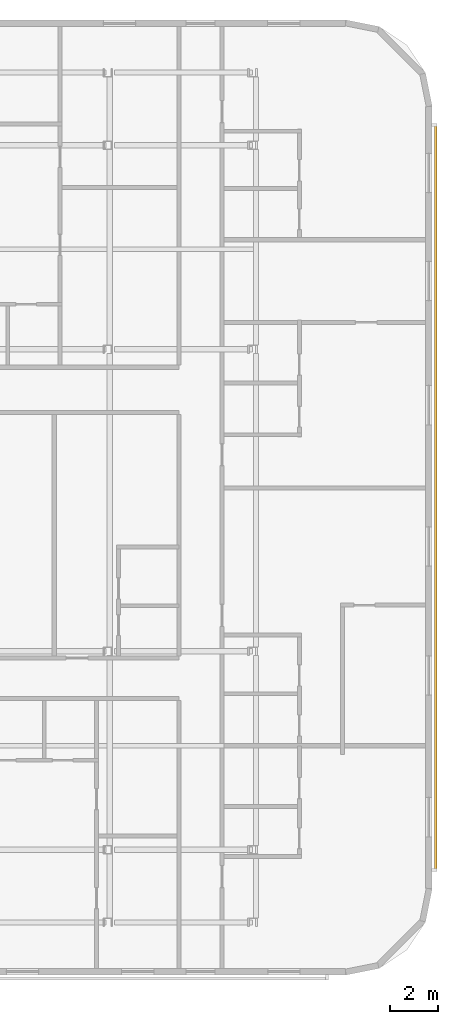
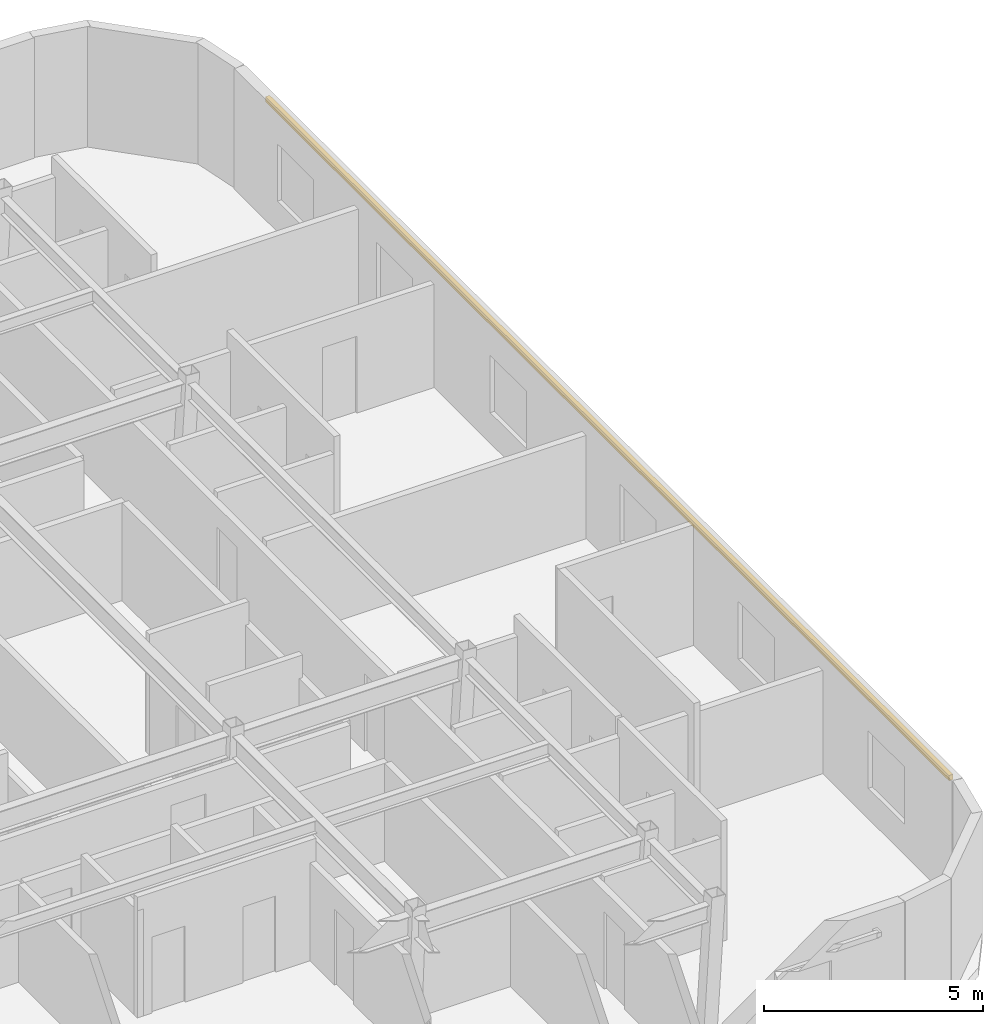
# One storey, part 10 of 10: 1 shading device.
"""IFC4 building model written with IfcOpenShell, lengths in metres."""

import ifcopenshell
import ifcopenshell.guid

model = None  # the IFC model being written
_history = None  # IfcOwnerHistory: only IFC2X3 demands one
_inside = {}  # id of a spatial element -> (the spatial element, [elements in it])
_under = {}  # id of a project, library or spatial element -> (it, [spatial elements below it])
_declared = {}  # id of a project -> (the project, [libraries it declares])
_typed = {}  # id of a type object -> (the type object, [elements of that type])
_made_of = {}  # id of a material, layer set ... -> (it, [elements and type objects made of it])


def new_model(schema):
    """Start an empty IFC model of exactly this schema.

    Asked for "IFC4X3", IfcOpenShell would pick the latest addendum, in which some entities
    have other attributes; the version numbers below select the first issue.
    IFC2X3 requires an IfcOwnerHistory on every rooted entity: one is made here for all.
    """
    global model, _history
    if schema == "IFC4X3":
        model = ifcopenshell.file(schema_version=(4, 3, 0, 0))
    else:
        model = ifcopenshell.file(schema=schema)
    _inside.clear()
    _under.clear()
    _declared.clear()
    _typed.clear()
    _made_of.clear()
    _history = None
    if model.schema == "IFC2X3":
        org = make("IfcOrganization", Name="unknown")
        user = make(
            "IfcPersonAndOrganization",
            ThePerson=make("IfcPerson", FamilyName="unknown"),
            TheOrganization=org,
        )
        app = make(
            "IfcApplication",
            ApplicationDeveloper=org,
            Version="unknown",
            ApplicationFullName="unknown",
            ApplicationIdentifier="unknown",
        )
        _history = make(
            "IfcOwnerHistory",
            OwningUser=user,
            OwningApplication=app,
            ChangeAction="ADDED",
            CreationDate=0,
        )
    return model


def make(cls, **values):
    """One entity of the class cls with the attributes given. An attribute that is None is left unset."""
    return model.create_entity(
        cls, **{name: value for name, value in values.items() if value is not None}
    )


def rooted(cls, **values):
    """An entity with a GlobalId (a new one), such as an element, a storey or a relation."""
    return make(cls, GlobalId=ifcopenshell.guid.new(), OwnerHistory=_history, **values)


def si_unit(unit_type, name, prefix=None):
    """IfcSIUnit, for example si_unit("LENGTHUNIT", "METRE", prefix="MILLI")."""
    return make("IfcSIUnit", UnitType=unit_type, Prefix=prefix, Name=name)


def assignment(units):
    """IfcUnitAssignment: the units of a project."""
    return None if units is None else make("IfcUnitAssignment", Units=units)


def point(xyz):
    """IfcCartesianPoint."""
    return None if xyz is None else make("IfcCartesianPoint", Coordinates=xyz)


def direction(xyz):
    """IfcDirection."""
    return None if xyz is None else make("IfcDirection", DirectionRatios=xyz)


def frame(location, z_axis=None, x_axis=None):
    """IfcAxis2Placement3D, a coordinate frame: its origin and axes. An axis left out is left unset."""
    return make(
        "IfcAxis2Placement3D",
        Location=point(location),
        Axis=direction(z_axis),
        RefDirection=direction(x_axis),
    )


def frame_2d(location, x_axis=None):
    """IfcAxis2Placement2D, a coordinate frame in the plane: its origin and x axis."""
    return make(
        "IfcAxis2Placement2D", Location=point(location), RefDirection=direction(x_axis)
    )


def origin():
    """The frame at (0, 0, 0) with its axes left unset."""
    return frame((0.0, 0.0, 0.0))


def origin_2d():
    """The frame at (0, 0) in the plane with its x axis left unset."""
    return frame_2d((0.0, 0.0))


def place(relative_to, where):
    """IfcLocalPlacement: puts the frame where relative to a parent placement (None: the world)."""
    return make(
        "IfcLocalPlacement", PlacementRelTo=relative_to, RelativePlacement=where
    )


def context(
    kind, dimensions, precision=None, world=None, true_north=None, identifier=None
):
    """IfcGeometricRepresentationContext, for example the 3D "Model" context."""
    return make(
        "IfcGeometricRepresentationContext",
        ContextIdentifier=identifier,
        ContextType=kind,
        CoordinateSpaceDimension=dimensions,
        Precision=precision,
        WorldCoordinateSystem=world,
        TrueNorth=true_north,
    )


def subcontext(parent, identifier, kind, view, scale=None):
    """IfcGeometricRepresentationSubContext, for example "Body" below "Model"."""
    return make(
        "IfcGeometricRepresentationSubContext",
        ContextIdentifier=identifier,
        ContextType=kind,
        ParentContext=parent,
        TargetScale=scale,
        TargetView=view,
    )


def project(units=None, contexts=None):
    """IfcProject with its units and contexts."""
    return rooted(
        "IfcProject",
        Name="project",
        RepresentationContexts=contexts,
        UnitsInContext=assignment(units),
    )


def spatial(cls, under=None, at=None, **own):
    """A site, building, storey or space (cls), placed at a placement, below another one or the project."""
    s = rooted(cls, ObjectPlacement=at, **own)
    if under is not None:
        _under.setdefault(under.id(), (under, []))[1].append(s)
    return s


def profile(cls, at=None, kind="AREA", **sizes):
    """A parametric profile (cls). Its sizes go by their IFC names, for example OverallWidth=200.0."""
    return make(cls, ProfileType=kind, Position=at, **sizes)


def rectangle(**sizes):
    """IfcRectangleProfileDef."""
    return profile("IfcRectangleProfileDef", **sizes)


def extrude(swept, where, along, depth):
    """IfcExtrudedAreaSolid: the profile swept, set in the frame where, extruded along a direction by depth."""
    return make(
        "IfcExtrudedAreaSolid",
        SweptArea=swept,
        Position=where,
        ExtrudedDirection=direction(along),
        Depth=depth,
    )


def shape(context_of_items, identifier, shape_type, items):
    """IfcShapeRepresentation: the items that make up one representation, for example the "Body"."""
    return make(
        "IfcShapeRepresentation",
        ContextOfItems=context_of_items,
        RepresentationIdentifier=identifier,
        RepresentationType=shape_type,
        Items=items,
    )


def material(Name=None, Category=None):
    """IfcMaterial."""
    return make("IfcMaterial", Name=Name, Category=Category)


def material_profile(
    of_material, cross_section, Name=None, Category=None, Priority=None
):
    """IfcMaterialProfile: a cross section and its material."""
    return make(
        "IfcMaterialProfile",
        Name=Name,
        Material=of_material,
        Profile=cross_section,
        Priority=Priority,
        Category=Category,
    )


def profile_set(profiles, Name=None, composite=None):
    """IfcMaterialProfileSet."""
    return make(
        "IfcMaterialProfileSet",
        Name=Name,
        MaterialProfiles=profiles,
        CompositeProfile=composite,
    )


def made_of(thing, what):
    """Note that an element or type object is made of a material, layer set ...; save() writes the relation."""
    if what is not None:
        _made_of.setdefault(what.id(), (what, []))[1].append(thing)
    return thing


def type_object(cls, material=None, **own):
    """A type object (cls), such as IfcWallType, which elements share."""
    return made_of(rooted(cls, **own), material)


def element(
    cls,
    number,
    at=None,
    inside=None,
    cuts=None,
    type_object=None,
    material=None,
    context=None,
    identifier="Body",
    shape_type=None,
    held_by="IfcProductDefinitionShape",
    body=None,
    shapes=None,
    **own,
):
    """One element of the class cls, such as IfcWall. Its Tag is "e" and its number.

    at: its placement. inside: the storey or other place that contains it. cuts: it is an
    opening in that element (IfcRelVoidsElement). A single representation is given by context,
    identifier, shape_type and body (its items); several are given by shapes. held_by: the class
    of the entity that holds the representations. save() writes the other relations.
    """
    e = rooted(cls, Tag="e%d" % number, ObjectPlacement=at, **own)
    if body is not None:
        shapes = [shape(context, identifier, shape_type, body)]
    if shapes is not None:
        e.Representation = make(held_by, Representations=shapes)
    if inside is not None:
        _inside.setdefault(inside.id(), (inside, []))[1].append(e)
    if cuts is not None:
        rooted(
            "IfcRelVoidsElement", RelatingBuildingElement=cuts, RelatedOpeningElement=e
        )
    if type_object is not None:
        _typed.setdefault(type_object.id(), (type_object, []))[1].append(e)
    return made_of(e, material)


def aggregate(whole, parts):
    """IfcRelAggregates: a whole, such as a stair, and the parts it consists of."""
    return rooted("IfcRelAggregates", RelatingObject=whole, RelatedObjects=parts)


def save(model, path):
    """Write the relations noted so far, then the file.

    IfcRelAggregates (storeys below a building ...), IfcRelContainedInSpatialStructure (elements
    in a storey), IfcRelDefinesByType, IfcRelAssociatesMaterial and IfcRelDeclares: one each for
    every whole, place, type object, material and project.
    """
    for whole, parts in _under.values():
        aggregate(whole, parts)
    for where, things in _inside.values():
        rooted(
            "IfcRelContainedInSpatialStructure",
            RelatedElements=things,
            RelatingStructure=where,
        )
    for kind, things in _typed.values():
        rooted("IfcRelDefinesByType", RelatedObjects=things, RelatingType=kind)
    for what, things in _made_of.values():
        rooted("IfcRelAssociatesMaterial", RelatedObjects=things, RelatingMaterial=what)
    for by, libraries in _declared.values():
        rooted("IfcRelDeclares", RelatingContext=by, RelatedDefinitions=libraries)
    model.write(path)


model = new_model("IFC4")

# Units and contexts
model_context = context("Model", 3, precision=1e-05, world=origin(), true_north=direction((0.0, 1.0)))
body_context = subcontext(model_context, "Body", "Model", "MODEL_VIEW")
ifc_project = project(units=[si_unit("LENGTHUNIT", "METRE"), si_unit("AREAUNIT", "SQUARE_METRE"), si_unit("VOLUMEUNIT", "CUBIC_METRE"), si_unit("PLANEANGLEUNIT", "RADIAN"), si_unit("MASSUNIT", "GRAM", prefix="KILO")], contexts=[model_context])

# Site, building, storey
site_placement = place(None, origin())
site = spatial("IfcSite", under=ifc_project, at=site_placement, CompositionType="ELEMENT")
building_placement = place(site_placement, origin())
building = spatial("IfcBuilding", under=site, at=building_placement, Name="Ochreholt Gables", CompositionType="ELEMENT")
storey_placement = place(building_placement, frame((0.0, 0.0, 144.60009765625)))
storey = spatial("IfcBuildingStorey", under=building, at=storey_placement, Name="L37", CompositionType="ELEMENT", Elevation=144.60009765625)

# Shading device
ifc_material = material(Name="Warm Ochre Glazed Terracotta Baguette", Category="masonry")
ifc_material_profile = material_profile(ifc_material, rectangle(XDim=0.110107421875, YDim=0.14990234375, at=origin_2d()), Name="TCBAG110X150")
ifc_profile_set = profile_set([ifc_material_profile], Name="Warm Ochre Glazed Terracotta Baguette")
shading_device_type = type_object("IfcShadingDeviceType", Name="SHD-BAGUETTE", PredefinedType="USERDEFINED", material=ifc_profile_set)
shading_device_placement = place(storey_placement, frame((58.75, 8.39990234375, 2.83984375), z_axis=(0.0, 1.0, 0.0), x_axis=(-1.0, 0.0, 0.0)))
element("IfcShadingDevice", 1, at=shading_device_placement, inside=storey, type_object=shading_device_type, Name="L37 Terracotta Baguette Screen E-1", ObjectType="BAGUETTE", PredefinedType="USERDEFINED", context=body_context, shape_type="SweptSolid", body=[
    extrude(rectangle(XDim=0.110107421875, YDim=0.14990234375, at=origin_2d()), origin(), (0.0, 0.0, 1.0), 31.2001953125),
])

save(model, "model.ifc")
